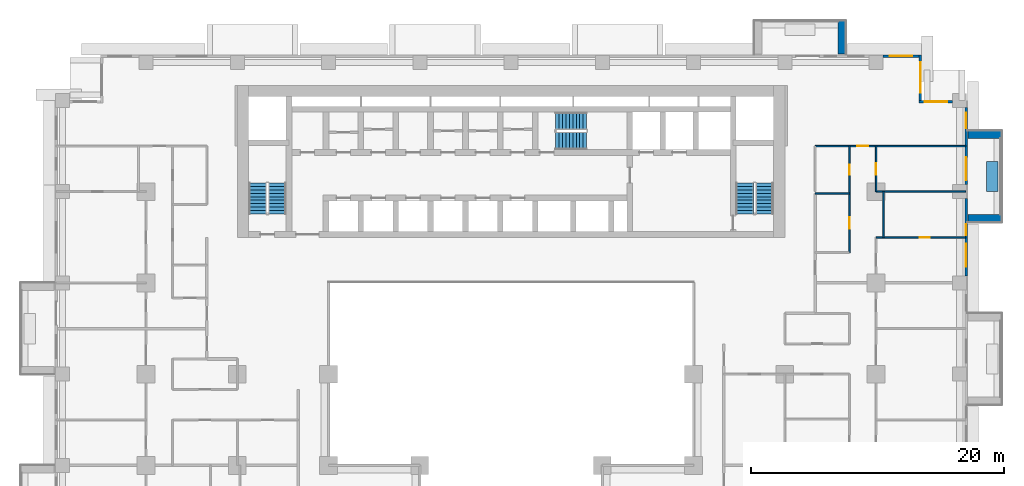
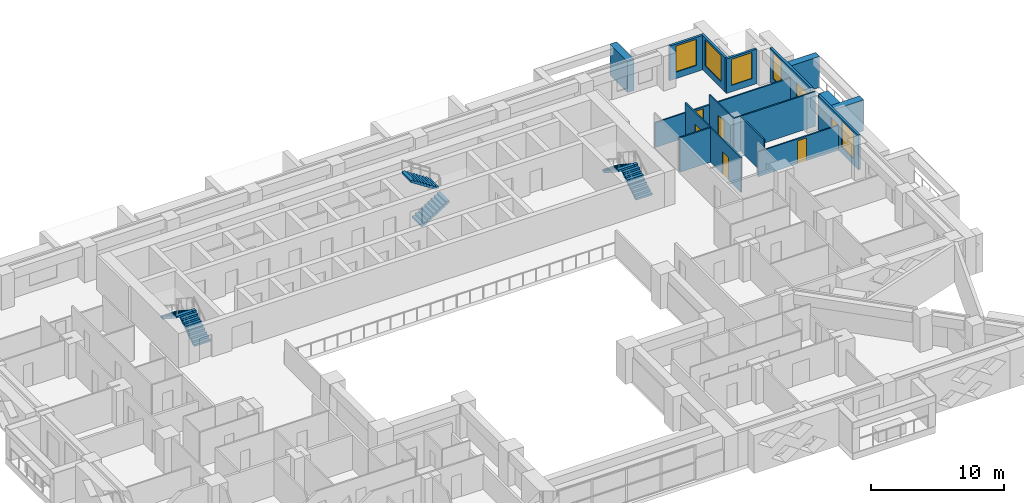
# One storey, part 12 of 16: 16 walls, 6 doors, 6 stair flights, 6 windows, 12 openings, 3 elements without a shape of their own.
"""IFC4 building model written with IfcOpenShell, lengths in metres."""

from ifc_helpers import new_model, si_unit, direction, frame, frame_2d, origin, place, context, subcontext, project, spatial, polyline, rectangle, outline, extrude, material, layer, layer_set, type_object, element, fill, aggregate, save


model = new_model("IFC4")

# Units and contexts
model_context = context("Model", 3, precision=1e-05, world=origin(), true_north=direction((0.0, 1.0)))
body_context = subcontext(model_context, "Body", "Model", "MODEL_VIEW")
ifc_project = project(units=[si_unit("LENGTHUNIT", "METRE"), si_unit("AREAUNIT", "SQUARE_METRE"), si_unit("VOLUMEUNIT", "CUBIC_METRE"), si_unit("PLANEANGLEUNIT", "RADIAN"), si_unit("MASSUNIT", "GRAM", prefix="KILO")], contexts=[model_context])

# Site, building, storey
site_placement = place(None, origin())
site = spatial("IfcSite", under=ifc_project, at=site_placement, CompositionType="ELEMENT")
building_placement = place(site_placement, origin())
building = spatial("IfcBuilding", under=site, at=building_placement, Name="Saffron Iwan Residences", CompositionType="ELEMENT")
storey_placement = place(building_placement, frame((0.0, 0.0, 48.0)))
storey = spatial("IfcBuildingStorey", under=building, at=storey_placement, Name="L11", CompositionType="ELEMENT", Elevation=48.0)

# Walls
ifc_material_1 = material(Name="Concrete C50/60 white painted", Category="concrete")
ifc_layer_1 = layer(ifc_material_1, 0.60009765625)
ifc_layer_set_1 = layer_set([ifc_layer_1], Name="Concrete C50/60 white painted")
wall_type_1 = type_object("IfcWallType", Name="BALCONY FIN 600", PredefinedType="SOLIDWALL", material=ifc_layer_set_1)
for number, where, z_axis, x_axis, name in (
    (1, (86.449951171875, 67.5, 0.0), (0.0, 0.0, 1.0), (1.0, 0.0, 0.0), "Balcony fin L11 F2-1a"),
    (2, (86.449951171875, 74.10009765625, 0.0), (0.0, 0.0, 1.0), (1.0, 0.0, 0.0), "Balcony fin L11 F2-1b"),
    (3, (76.5, 80.449951171875, 0.0), (0.0, 0.0, 1.0), (0.0, 1.0, 0.0), "Balcony fin L11 F5-0a"),
):
    element("IfcWall", number, at=place(storey_placement, frame(where, z_axis=z_axis, x_axis=x_axis)), inside=storey, type_object=wall_type_1, Name=name, PredefinedType="SOLIDWALL", context=body_context, shape_type="SweptSolid", body=[
        extrude(rectangle(XDim=2.650146484375, YDim=0.60009765625, at=frame_2d((1.3251953125, 0.0))), origin(), (0.0, 0.0, 1.0), 2.85009765625),
    ])
ifc_material_2 = material(Name="Concrete C35/45 white painted", Category="concrete")
ifc_layer_2 = layer(ifc_material_2, 0.14990234375)
ifc_layer_set_2 = layer_set([ifc_layer_2], Name="Concrete C35/45 white painted")
wall_type_2 = type_object("IfcWallType", Name="BALCONY PLANTER", PredefinedType="SOLIDWALL", material=ifc_layer_set_2)
wall_1_placement = place(storey_placement, frame((88.375, 69.60009765625, 0.0), z_axis=(0.0, 0.0, 1.0), x_axis=(0.0, 1.0, 0.0)))
element("IfcWall", 4, at=wall_1_placement, inside=storey, type_object=wall_type_2, Name="PLANTER L11 F2-1", PredefinedType="SOLIDWALL", context=body_context, shape_type="SweptSolid", body=[
    extrude(rectangle(XDim=2.39990234375, YDim=0.89990234375, at=frame_2d((1.199951171875, 0.0))), origin(), (0.0, 0.0, 1.0), 0.89990234375),
])

# Wall, openings, windows
ifc_material_3 = material(Name="Concrete C40/50", Category="concrete")
ifc_layer_3 = layer(ifc_material_3, 0.199951171875)
ifc_layer_set_3 = layer_set([ifc_layer_3], Name="Concrete C40/50")
wall_type_3 = type_object("IfcWallType", Name="EXTERNAL WALL 200", PredefinedType="SOLIDWALL", material=ifc_layer_set_3)
wall_2_placement = place(storey_placement, frame((86.300048828125, 62.949951171875, 0.0), z_axis=(0.0, 0.0, 1.0), x_axis=(0.0, 1.0, 0.0)))
wall_2 = element("IfcWall", 5, at=wall_2_placement, inside=storey, type_object=wall_type_3, Name="External wall L11 F2.2", PredefinedType="SOLIDWALL", context=body_context, shape_type="SweptSolid", body=[
    extrude(rectangle(XDim=6.10009765625, YDim=0.199951171875, at=frame_2d((3.050048828125, 0.0))), origin(), (0.0, 0.0, 1.0), 3.179931640625),
])
opening_1_placement = place(wall_2_placement, frame((0.72509765625, 0.0, 0.60009765625)))
opening_1 = element("IfcOpeningElement", 6, at=opening_1_placement, cuts=wall_2, Name="Opening W8", PredefinedType="OPENING", context=body_context, shape_type="SweptSolid", body=[
    extrude(rectangle(XDim=1.800048828125, YDim=2.39990234375, at=frame_2d((0.89990234375, 1.199951171875))), frame((0.0, 0.10986328125, 0.0), z_axis=(0.0, -1.0, 0.0), x_axis=(1.0, 0.0, 0.0)), (0.0, 0.0, 1.0), 0.219970703125),
])
opening_2_placement = place(wall_2_placement, frame((3.199951171875, 0.0, 1.5)))
opening_2 = element("IfcOpeningElement", 7, at=opening_2_placement, cuts=wall_2, Name="Opening W6", PredefinedType="OPENING", context=body_context, shape_type="SweptSolid", body=[
    extrude(rectangle(XDim=0.89990234375, YDim=0.89990234375, at=frame_2d((0.449951171875, 0.449951171875))), frame((0.0, 0.10986328125, 0.0), z_axis=(0.0, -1.0, 0.0), x_axis=(1.0, 0.0, 0.0)), (0.0, 0.0, 1.0), 0.219970703125),
])
ifc_material_4 = material(Name="Clear glass, laminated double glazed", Category="glass")
window_type_1 = type_object("IfcWindowType", Name="WINDOW 1800 x 2400", PartitioningType="DOUBLE_PANEL_VERTICAL", PredefinedType="WINDOW", material=ifc_material_4)
window_1_placement = place(opening_1_placement, origin())
window_1 = element("IfcWindow", 8, at=window_1_placement, inside=storey, type_object=window_type_1, Name="Window L11 F2.0", OverallHeight=2.39990234375, OverallWidth=1.800048828125, PartitioningType="DOUBLE_PANEL_VERTICAL", PredefinedType="WINDOW", context=body_context, shape_type="SweptSolid", body=[
    extrude(rectangle(XDim=1.800048828125, YDim=2.39990234375, at=frame_2d((0.89990234375, 1.199951171875))), frame((0.0, 0.030029296875, 0.0), z_axis=(0.0, -1.0, 0.0), x_axis=(1.0, 0.0, 0.0)), (0.0, 0.0, 1.0), 0.06005859375),
])
fill(opening_1, window_1)
window_type_2 = type_object("IfcWindowType", Name="WINDOW 900 x 900 BATH", PartitioningType="SINGLE_PANEL", PredefinedType="WINDOW", material=ifc_material_4)
window_2_placement = place(opening_2_placement, origin())
window_2 = element("IfcWindow", 9, at=window_2_placement, inside=storey, type_object=window_type_2, Name="Window L11 F2.1", OverallHeight=0.89990234375, OverallWidth=0.89990234375, PartitioningType="SINGLE_PANEL", PredefinedType="WINDOW", context=body_context, shape_type="SweptSolid", body=[
    extrude(rectangle(XDim=0.89990234375, YDim=0.89990234375, at=frame_2d((0.449951171875, 0.449951171875))), frame((0.0, 0.030029296875, 0.0), z_axis=(0.0, -1.0, 0.0), x_axis=(1.0, 0.0, 0.0)), (0.0, 0.0, 1.0), 0.06005859375),
])
fill(opening_2, window_2)

# Wall, openings, door, window
wall_3_placement = place(storey_placement, frame((86.300048828125, 70.14990234375, 0.0), z_axis=(0.0, 0.0, 1.0), x_axis=(0.0, 1.0, 0.0)))
wall_3 = element("IfcWall", 10, at=wall_3_placement, inside=storey, type_object=wall_type_3, Name="External wall L11 F2.3", PredefinedType="SOLIDWALL", context=body_context, shape_type="SweptSolid", body=[
    extrude(rectangle(XDim=6.10009765625, YDim=0.199951171875, at=frame_2d((3.050048828125, 0.0))), origin(), (0.0, 0.0, 1.0), 3.179931640625),
])
opening_3_placement = place(wall_3_placement, frame((0.35009765625, 0.0, 0.0)))
opening_3 = element("IfcOpeningElement", 11, at=opening_3_placement, cuts=wall_3, Name="Opening BD1", PredefinedType="OPENING", context=body_context, shape_type="SweptSolid", body=[
    extrude(rectangle(XDim=1.800048828125, YDim=2.39990234375, at=frame_2d((0.89990234375, 1.199951171875))), frame((0.0, 0.10986328125, 0.0), z_axis=(0.0, -1.0, 0.0), x_axis=(1.0, 0.0, 0.0)), (0.0, 0.0, 1.0), 0.219970703125),
])
opening_4_placement = place(wall_3_placement, frame((4.47509765625, 0.0, 0.60009765625)))
opening_4 = element("IfcOpeningElement", 12, at=opening_4_placement, cuts=wall_3, Name="Opening W3", PredefinedType="OPENING", context=body_context, shape_type="SweptSolid", body=[
    extrude(rectangle(XDim=1.199951171875, YDim=2.39990234375, at=frame_2d((0.60009765625, 1.199951171875))), frame((0.0, 0.10986328125, 0.0), z_axis=(0.0, -1.0, 0.0), x_axis=(1.0, 0.0, 0.0)), (0.0, 0.0, 1.0), 0.219970703125),
])
door_type_1 = type_object("IfcDoorType", Name="BALCONY DOOR 1800 x 2400", OperationType="DOUBLE_DOOR_SLIDING", PredefinedType="DOOR", material=ifc_material_4)
door_1_placement = place(opening_3_placement, origin())
door_1 = element("IfcDoor", 13, at=door_1_placement, inside=storey, type_object=door_type_1, Name="Balcony door L11 F2.0", OperationType="DOUBLE_DOOR_SLIDING", OverallHeight=2.39990234375, OverallWidth=1.800048828125, PredefinedType="DOOR", context=body_context, shape_type="SweptSolid", body=[
    extrude(rectangle(XDim=1.800048828125, YDim=2.39990234375, at=frame_2d((0.89990234375, 1.199951171875))), frame((0.0, 0.02490234375, 0.0), z_axis=(0.0, -1.0, 0.0), x_axis=(1.0, 0.0, 0.0)), (0.0, 0.0, 1.0), 0.050048828125),
])
fill(opening_3, door_1)
window_type_3 = type_object("IfcWindowType", Name="WINDOW 1200 x 2400", PartitioningType="SINGLE_PANEL", PredefinedType="WINDOW", material=ifc_material_4)
window_3_placement = place(opening_4_placement, origin())
window_3 = element("IfcWindow", 14, at=window_3_placement, inside=storey, type_object=window_type_3, Name="Window L11 F2.1", OverallHeight=2.39990234375, OverallWidth=1.199951171875, PartitioningType="SINGLE_PANEL", PredefinedType="WINDOW", context=body_context, shape_type="SweptSolid", body=[
    extrude(rectangle(XDim=1.199951171875, YDim=2.39990234375, at=frame_2d((0.60009765625, 1.199951171875))), frame((0.0, 0.030029296875, 0.0), z_axis=(0.0, -1.0, 0.0), x_axis=(1.0, 0.0, 0.0)), (0.0, 0.0, 1.0), 0.06005859375),
])
fill(opening_4, window_3)

# Wall, opening, window
wall_4_placement = place(storey_placement, frame((85.25, 76.699951171875, 0.0), z_axis=(0.0, 0.0, 1.0), x_axis=(-1.0, 0.0, 0.0)))
wall_4 = element("IfcWall", 15, at=wall_4_placement, inside=storey, type_object=wall_type_3, Name="External wall L11 F3.0", PredefinedType="SOLIDWALL", context=body_context, shape_type="SweptSolid", body=[
    extrude(rectangle(XDim=2.64990234375, YDim=0.199951171875, at=frame_2d((1.324951171875, 0.0))), origin(), (0.0, 0.0, 1.0), 3.179931640625),
])
opening_5_placement = place(wall_4_placement, frame((0.425048828125, 0.0, 0.60009765625)))
opening_5 = element("IfcOpeningElement", 16, at=opening_5_placement, cuts=wall_4, Name="Opening W8", PredefinedType="OPENING", context=body_context, shape_type="SweptSolid", body=[
    extrude(rectangle(XDim=1.800048828125, YDim=2.39990234375, at=frame_2d((0.89990234375, 1.199951171875))), frame((0.0, 0.10986328125, 0.0), z_axis=(0.0, -1.0, 0.0), x_axis=(1.0, 0.0, 0.0)), (0.0, 0.0, 1.0), 0.219970703125),
])
window_4_placement = place(opening_5_placement, origin())
window_4 = element("IfcWindow", 17, at=window_4_placement, inside=storey, type_object=window_type_1, Name="Window L11 F3.0", OverallHeight=2.39990234375, OverallWidth=1.800048828125, PartitioningType="DOUBLE_PANEL_VERTICAL", PredefinedType="WINDOW", context=body_context, shape_type="SweptSolid", body=[
    extrude(rectangle(XDim=1.800048828125, YDim=2.39990234375, at=frame_2d((0.89990234375, 1.199951171875))), frame((0.0, 0.030029296875, 0.0), z_axis=(0.0, -1.0, 0.0), x_axis=(1.0, 0.0, 0.0)), (0.0, 0.0, 1.0), 0.06005859375),
])
fill(opening_5, window_4)

wall_5_placement = place(storey_placement, frame((82.699951171875, 76.800048828125, 0.0), z_axis=(0.0, 0.0, 1.0), x_axis=(0.0, 1.0, 0.0)))
wall_5 = element("IfcWall", 18, at=wall_5_placement, inside=storey, type_object=wall_type_3, Name="External wall L11 F4.0", PredefinedType="SOLIDWALL", context=body_context, shape_type="SweptSolid", body=[
    extrude(rectangle(XDim=3.599853515625, YDim=0.199951171875, at=frame_2d((1.7998046875, 0.0))), origin(), (0.0, 0.0, 1.0), 3.179931640625),
])
opening_6_placement = place(wall_5_placement, frame((0.60009765625, 0.0, 0.60009765625)))
opening_6 = element("IfcOpeningElement", 19, at=opening_6_placement, cuts=wall_5, Name="Opening W1", PredefinedType="OPENING", context=body_context, shape_type="SweptSolid", body=[
    extrude(rectangle(XDim=2.39990234375, YDim=2.39990234375, at=frame_2d((1.199951171875, 1.199951171875))), frame((0.0, 0.10986328125, 0.0), z_axis=(0.0, -1.0, 0.0), x_axis=(1.0, 0.0, 0.0)), (0.0, 0.0, 1.0), 0.219970703125),
])
window_type_4 = type_object("IfcWindowType", Name="WINDOW 2400 x 2400", PartitioningType="DOUBLE_PANEL_VERTICAL", PredefinedType="WINDOW", material=ifc_material_4)
window_5_placement = place(opening_6_placement, origin())
window_5 = element("IfcWindow", 20, at=window_5_placement, inside=storey, type_object=window_type_4, Name="Window L11 F4.0", OverallHeight=2.39990234375, OverallWidth=2.39990234375, PartitioningType="DOUBLE_PANEL_VERTICAL", PredefinedType="WINDOW", context=body_context, shape_type="SweptSolid", body=[
    extrude(rectangle(XDim=2.39990234375, YDim=2.39990234375, at=frame_2d((1.199951171875, 1.199951171875))), frame((0.0, 0.030029296875, 0.0), z_axis=(0.0, -1.0, 0.0), x_axis=(1.0, 0.0, 0.0)), (0.0, 0.0, 1.0), 0.06005859375),
])
fill(opening_6, window_5)

wall_6_placement = place(storey_placement, frame((82.60009765625, 80.300048828125, 0.0), z_axis=(0.0, 0.0, 1.0), x_axis=(-1.0, 0.0, 0.0)))
wall_6 = element("IfcWall", 21, at=wall_6_placement, inside=storey, type_object=wall_type_3, Name="External wall L11 F5.0", PredefinedType="SOLIDWALL", context=body_context, shape_type="SweptSolid", body=[
    extrude(rectangle(XDim=2.85009765625, YDim=0.199951171875, at=frame_2d((1.425048828125, 0.0))), origin(), (0.0, 0.0, 1.0), 3.179931640625),
])
opening_7_placement = place(wall_6_placement, frame((0.52490234375, 0.0, 0.60009765625)))
opening_7 = element("IfcOpeningElement", 22, at=opening_7_placement, cuts=wall_6, Name="Opening W8", PredefinedType="OPENING", context=body_context, shape_type="SweptSolid", body=[
    extrude(rectangle(XDim=1.800048828125, YDim=2.39990234375, at=frame_2d((0.89990234375, 1.199951171875))), frame((0.0, 0.10986328125, 0.0), z_axis=(0.0, -1.0, 0.0), x_axis=(1.0, 0.0, 0.0)), (0.0, 0.0, 1.0), 0.219970703125),
])
window_6_placement = place(opening_7_placement, origin())
window_6 = element("IfcWindow", 23, at=window_6_placement, inside=storey, type_object=window_type_1, Name="Window L11 F5.0", OverallHeight=2.39990234375, OverallWidth=1.800048828125, PartitioningType="DOUBLE_PANEL_VERTICAL", PredefinedType="WINDOW", context=body_context, shape_type="SweptSolid", body=[
    extrude(rectangle(XDim=1.800048828125, YDim=2.39990234375, at=frame_2d((0.89990234375, 1.199951171875))), frame((0.0, 0.030029296875, 0.0), z_axis=(0.0, -1.0, 0.0), x_axis=(1.0, 0.0, 0.0)), (0.0, 0.0, 1.0), 0.06005859375),
])
fill(opening_7, window_6)

# Wall, opening, door
ifc_material_5 = material(Name="Gypsum board partition")
ifc_layer_4 = layer(ifc_material_5, 0.1201171875)
ifc_layer_set_4 = layer_set([ifc_layer_4], Name="Gypsum board partition")
wall_type_4 = type_object("IfcWallType", Name="Flat partition 120", PredefinedType="PARTITIONING", material=ifc_layer_set_4)
wall_7_placement = place(storey_placement, frame((79.199951171875, 66.0, 0.0), z_axis=(0.0, 0.0, 1.0), x_axis=(1.0, 0.0, 0.0)))
wall_7 = element("IfcWall", 24, at=wall_7_placement, inside=storey, type_object=wall_type_4, Name="W-L11-PART-h66-79.2", PredefinedType="PARTITIONING", context=body_context, shape_type="SweptSolid", body=[
    extrude(rectangle(XDim=7.074951171875, YDim=0.1201171875, at=frame_2d((3.53759765625, 0.0))), origin(), (0.0, 0.0, 1.0), 2.280029296875),
])
opening_8_placement = place(wall_7_placement, frame((3.4375, 0.0, 0.0)))
opening_8 = element("IfcOpeningElement", 25, at=opening_8_placement, cuts=wall_7, Name="Opening FD3", PredefinedType="OPENING", context=body_context, shape_type="SweptSolid", body=[
    extrude(rectangle(XDim=0.800048828125, YDim=2.10009765625, at=frame_2d((0.39990234375, 1.050048828125))), frame((0.0, 0.070068359375, 0.0), z_axis=(0.0, -1.0, 0.0), x_axis=(1.0, 0.0, 0.0)), (0.0, 0.0, 1.0), 0.14013671875),
])
ifc_material_6 = material(Name="Timber door", Category="wood")
door_type_2 = type_object("IfcDoorType", Name="Bathroom door 800", OperationType="NOTDEFINED", PredefinedType="DOOR", material=ifc_material_6)
door_2_placement = place(opening_8_placement, origin())
door_2 = element("IfcDoor", 26, at=door_2_placement, inside=storey, type_object=door_type_2, Name="Door L11-037", OperationType="SINGLE_SWING_LEFT", OverallHeight=2.10009765625, OverallWidth=0.800048828125, PredefinedType="DOOR", context=body_context, shape_type="SweptSolid", body=[
    extrude(rectangle(XDim=0.800048828125, YDim=2.10009765625, at=frame_2d((0.39990234375, 1.050048828125))), frame((0.0, 0.02490234375, 0.0), z_axis=(0.0, -1.0, 0.0), x_axis=(1.0, 0.0, 0.0)), (0.0, 0.0, 1.0), 0.050048828125),
])
fill(opening_8, door_2)

# Walls
wall_8_placement = place(storey_placement, frame((74.39990234375, 69.449951171875, 0.0), z_axis=(0.0, 0.0, 1.0), x_axis=(1.0, 0.0, 0.0)))
element("IfcWall", 27, at=wall_8_placement, inside=storey, type_object=wall_type_4, Name="W-L11-PART-h69.45-74.4", PredefinedType="PARTITIONING", context=body_context, shape_type="SweptSolid", body=[
    extrude(rectangle(XDim=2.7001953125, YDim=0.1201171875, at=frame_2d((1.35009765625, 0.0))), origin(), (0.0, 0.0, 1.0), 3.179931640625),
])
wall_9_placement = place(storey_placement, frame((79.199951171875, 69.60009765625, 0.0), z_axis=(0.0, 0.0, 1.0), x_axis=(1.0, 0.0, 0.0)))
element("IfcWall", 28, at=wall_9_placement, inside=storey, type_object=wall_type_4, Name="W-L11-PART-h69.6-79.2", PredefinedType="PARTITIONING", context=body_context, shape_type="SweptSolid", body=[
    extrude(rectangle(XDim=7.074951171875, YDim=0.1201171875, at=frame_2d((3.53759765625, 0.0))), origin(), (0.0, 0.0, 1.0), 3.179931640625),
])

# Wall, opening, door
wall_10_placement = place(storey_placement, frame((74.39990234375, 73.199951171875, 0.0), z_axis=(0.0, 0.0, 1.0), x_axis=(1.0, 0.0, 0.0)))
wall_10 = element("IfcWall", 29, at=wall_10_placement, inside=storey, type_object=wall_type_4, Name="W-L11-PART-h73.2-74.4", PredefinedType="PARTITIONING", context=body_context, shape_type="SweptSolid", body=[
    extrude(rectangle(XDim=11.875, YDim=0.1201171875, at=frame_2d((5.9375, 0.0))), origin(), (0.0, 0.0, 1.0), 2.280029296875),
])
opening_9_placement = place(wall_10_placement, frame((3.300048828125, 0.0, 0.0)))
opening_9 = element("IfcOpeningElement", 30, at=opening_9_placement, cuts=wall_10, Name="Opening FD2", PredefinedType="OPENING", context=body_context, shape_type="SweptSolid", body=[
    extrude(rectangle(XDim=0.89990234375, YDim=2.10009765625, at=frame_2d((0.449951171875, 1.050048828125))), frame((0.0, 0.070068359375, 0.0), z_axis=(0.0, -1.0, 0.0), x_axis=(1.0, 0.0, 0.0)), (0.0, 0.0, 1.0), 0.14013671875),
])
door_type_3 = type_object("IfcDoorType", Name="Flat door 900", OperationType="NOTDEFINED", PredefinedType="DOOR", material=ifc_material_6)
door_3_placement = place(opening_9_placement, origin())
door_3 = element("IfcDoor", 31, at=door_3_placement, inside=storey, type_object=door_type_3, Name="Door L11-039", OperationType="SINGLE_SWING_LEFT", OverallHeight=2.10009765625, OverallWidth=0.89990234375, PredefinedType="DOOR", context=body_context, shape_type="SweptSolid", body=[
    extrude(rectangle(XDim=0.89990234375, YDim=2.10009765625, at=frame_2d((0.449951171875, 1.050048828125))), frame((0.0, 0.02490234375, 0.0), z_axis=(0.0, -1.0, 0.0), x_axis=(1.0, 0.0, 0.0)), (0.0, 0.0, 1.0), 0.050048828125),
])
fill(opening_9, door_3)

# Wall, openings, doors
wall_11_placement = place(storey_placement, frame((77.10009765625, 64.800048828125, 0.0), z_axis=(0.0, 0.0, 1.0), x_axis=(0.0, 1.0, 0.0)))
wall_11 = element("IfcWall", 32, at=wall_11_placement, inside=storey, type_object=wall_type_4, Name="W-L11-PART-v77.1-64.8", PredefinedType="PARTITIONING", context=body_context, shape_type="SweptSolid", body=[
    extrude(rectangle(XDim=8.39990234375, YDim=0.1201171875, at=frame_2d((4.199951171875, 0.0))), origin(), (0.0, 0.0, 1.0), 3.179931640625),
])
opening_10_placement = place(wall_11_placement, frame((1.875, 0.0, 0.0)))
opening_10 = element("IfcOpeningElement", 33, at=opening_10_placement, cuts=wall_11, Name="Opening FD2", PredefinedType="OPENING", context=body_context, shape_type="SweptSolid", body=[
    extrude(rectangle(XDim=0.89990234375, YDim=2.10009765625, at=frame_2d((0.449951171875, 1.050048828125))), frame((0.0, 0.070068359375, 0.0), z_axis=(0.0, -1.0, 0.0), x_axis=(1.0, 0.0, 0.0)), (0.0, 0.0, 1.0), 0.14013671875),
])
opening_11_placement = place(wall_11_placement, frame((6.125, 0.0, 0.0)))
opening_11 = element("IfcOpeningElement", 34, at=opening_11_placement, cuts=wall_11, Name="Opening FD3", PredefinedType="OPENING", context=body_context, shape_type="SweptSolid", body=[
    extrude(rectangle(XDim=0.800048828125, YDim=2.10009765625, at=frame_2d((0.39990234375, 1.050048828125))), frame((0.0, 0.070068359375, 0.0), z_axis=(0.0, -1.0, 0.0), x_axis=(1.0, 0.0, 0.0)), (0.0, 0.0, 1.0), 0.14013671875),
])
door_4_placement = place(opening_11_placement, origin())
door_4 = element("IfcDoor", 35, at=door_4_placement, inside=storey, type_object=door_type_2, Name="Door L11-041", OperationType="SINGLE_SWING_RIGHT", OverallHeight=2.10009765625, OverallWidth=0.800048828125, PredefinedType="DOOR", context=body_context, shape_type="SweptSolid", body=[
    extrude(rectangle(XDim=0.800048828125, YDim=2.10009765625, at=frame_2d((0.39990234375, 1.050048828125))), frame((0.0, 0.02490234375, 0.0), z_axis=(0.0, -1.0, 0.0), x_axis=(1.0, 0.0, 0.0)), (0.0, 0.0, 1.0), 0.050048828125),
])
fill(opening_11, door_4)
door_5_placement = place(opening_10_placement, origin())
door_5 = element("IfcDoor", 36, at=door_5_placement, inside=storey, type_object=door_type_3, Name="Door L11-040", OperationType="SINGLE_SWING_LEFT", OverallHeight=2.10009765625, OverallWidth=0.89990234375, PredefinedType="DOOR", context=body_context, shape_type="SweptSolid", body=[
    extrude(rectangle(XDim=0.89990234375, YDim=2.10009765625, at=frame_2d((0.449951171875, 1.050048828125))), frame((0.0, 0.02490234375, 0.0), z_axis=(0.0, -1.0, 0.0), x_axis=(1.0, 0.0, 0.0)), (0.0, 0.0, 1.0), 0.050048828125),
])
fill(opening_10, door_5)

# Wall, opening, door
wall_12_placement = place(storey_placement, frame((79.199951171875, 69.60009765625, 0.0), z_axis=(0.0, 0.0, 1.0), x_axis=(0.0, 1.0, 0.0)))
wall_12 = element("IfcWall", 37, at=wall_12_placement, inside=storey, type_object=wall_type_4, Name="W-L11-PART-v79.2-69.6", PredefinedType="PARTITIONING", context=body_context, shape_type="SweptSolid", body=[
    extrude(rectangle(XDim=3.599853515625, YDim=0.1201171875, at=frame_2d((1.7998046875, 0.0))), origin(), (0.0, 0.0, 1.0), 3.179931640625),
])
opening_12_placement = place(wall_12_placement, frame((1.35009765625, 0.0, 0.0)))
opening_12 = element("IfcOpeningElement", 38, at=opening_12_placement, cuts=wall_12, Name="Opening FD2", PredefinedType="OPENING", context=body_context, shape_type="SweptSolid", body=[
    extrude(rectangle(XDim=0.89990234375, YDim=2.10009765625, at=frame_2d((0.449951171875, 1.050048828125))), frame((0.0, 0.070068359375, 0.0), z_axis=(0.0, -1.0, 0.0), x_axis=(1.0, 0.0, 0.0)), (0.0, 0.0, 1.0), 0.14013671875),
])
door_6_placement = place(opening_12_placement, origin())
door_6 = element("IfcDoor", 39, at=door_6_placement, inside=storey, type_object=door_type_3, Name="Door L11-038", OperationType="SINGLE_SWING_RIGHT", OverallHeight=2.10009765625, OverallWidth=0.89990234375, PredefinedType="DOOR", context=body_context, shape_type="SweptSolid", body=[
    extrude(rectangle(XDim=0.89990234375, YDim=2.10009765625, at=frame_2d((0.449951171875, 1.050048828125))), frame((0.0, 0.02490234375, 0.0), z_axis=(0.0, -1.0, 0.0), x_axis=(1.0, 0.0, 0.0)), (0.0, 0.0, 1.0), 0.050048828125),
])
fill(opening_12, door_6)

# Wall
wall_13_placement = place(storey_placement, frame((79.800048828125, 66.0, 0.0), z_axis=(0.0, 0.0, 1.0), x_axis=(0.0, 1.0, 0.0)))
element("IfcWall", 40, at=wall_13_placement, inside=storey, type_object=wall_type_4, Name="W-L11-PART-v79.8-66", PredefinedType="PARTITIONING", context=body_context, shape_type="SweptSolid", body=[
    extrude(rectangle(XDim=3.60009765625, YDim=0.1201171875, at=frame_2d((1.800048828125, 0.0))), origin(), (0.0, 0.0, 1.0), 3.179931640625),
])

# Stair, stair flights
ifc_material_7 = material(Name="Concrete C50/60", Category="concrete")
stair_type = type_object("IfcStairType", Name="Stair ST-CORE", PredefinedType="HALF_TURN_STAIR", material=ifc_material_7)
stair_1_placement = place(storey_placement, origin())
stair_1 = element("IfcStair", 41, at=stair_1_placement, inside=storey, type_object=stair_type, Name="L11 Exit Stair ST-W", PredefinedType="HALF_TURN_STAIR")
ifc_layer_5 = layer(ifc_material_7, 0.14990234375)
ifc_layer_set_5 = layer_set([ifc_layer_5], Name="Concrete C50/60")
stair_flight_type = type_object("IfcStairFlightType", Name="Stair flight SFL-RC", PredefinedType="STRAIGHT", material=ifc_layer_set_5)
stair_flight_1_placement = place(storey_placement, frame((31.949951171875, 67.85009765625, 0.0), z_axis=(0.0, 0.0, 1.0), x_axis=(0.0, 1.0, 0.0)))
stair_flight_1 = element("IfcStairFlight", 42, at=stair_flight_1_placement, type_object=stair_flight_type, Name="ST-W flight 1", NumberOfRisers=10, NumberOfTreads=9, PredefinedType="STRAIGHT", RiserHeight=0.175, TreadLength=0.27, context=body_context, shape_type="SweptSolid", body=[
    extrude(outline(polyline([(0.0, 0.0), (0.0, 0.175048828125), (0.27001953125, 0.175048828125), (0.27001953125, 0.35009765625), (0.5400390625, 0.35009765625), (0.5400390625, 0.52490234375), (0.81005859375, 0.52490234375), (0.81005859375, 0.699951171875), (1.080078125, 0.699951171875), (1.080078125, 0.875), (1.35009765625, 0.875), (1.35009765625, 1.050048828125), (1.6201171875, 1.050048828125), (1.6201171875, 1.22509765625), (1.889892578125, 1.22509765625), (1.889892578125, 1.39990234375), (2.159912109375, 1.39990234375), (2.159912109375, 1.574951171875), (2.429931640625, 1.574951171875), (2.429931640625, 1.75), (2.429931640625, 1.396484375), (0.275634765625, 0.0), (0.0, 0.0)])), frame((0.0, 0.699951171875, 0.0), z_axis=(0.0, -1.0, 0.0), x_axis=(1.0, 0.0, 0.0)), (0.0, 0.0, 1.0), 1.39990234375),
])
stair_flight_2_placement = place(storey_placement, frame((30.39990234375, 70.280029296875, 1.75), z_axis=(0.0, 0.0, 1.0), x_axis=(0.0, -1.0, 0.0)))
stair_flight_2 = element("IfcStairFlight", 43, at=stair_flight_2_placement, type_object=stair_flight_type, Name="ST-W flight 2", NumberOfRisers=10, NumberOfTreads=9, PredefinedType="STRAIGHT", RiserHeight=0.175, TreadLength=0.27, context=body_context, shape_type="SweptSolid", body=[
    extrude(outline(polyline([(0.0, 0.0), (0.0, 0.175048828125), (0.27001953125, 0.175048828125), (0.27001953125, 0.35009765625), (0.5400390625, 0.35009765625), (0.5400390625, 0.52490234375), (0.81005859375, 0.52490234375), (0.81005859375, 0.699951171875), (1.080078125, 0.699951171875), (1.080078125, 0.875), (1.35009765625, 0.875), (1.35009765625, 1.050048828125), (1.6201171875, 1.050048828125), (1.6201171875, 1.22509765625), (1.889892578125, 1.22509765625), (1.889892578125, 1.39990234375), (2.159912109375, 1.39990234375), (2.159912109375, 1.574951171875), (2.429931640625, 1.574951171875), (2.429931640625, 1.75), (2.429931640625, 1.396484375), (0.275634765625, 0.0), (0.0, 0.0)])), frame((0.0, 0.699951171875, 0.0), z_axis=(0.0, -1.0, 0.0), x_axis=(1.0, 0.0, 0.0)), (0.0, 0.0, 1.0), 1.39990234375),
])
aggregate(stair_1, [stair_flight_1, stair_flight_2])

stair_2_placement = place(storey_placement, origin())
stair_2 = element("IfcStair", 44, at=stair_2_placement, inside=storey, type_object=stair_type, Name="L11 Exit Stair ST-C", PredefinedType="HALF_TURN_STAIR")
stair_flight_3_placement = place(storey_placement, frame((53.925048828125, 73.625, 0.0), z_axis=(0.0, 0.0, 1.0), x_axis=(1.0, 0.0, 0.0)))
stair_flight_3 = element("IfcStairFlight", 45, at=stair_flight_3_placement, type_object=stair_flight_type, Name="ST-C flight 1", NumberOfRisers=10, NumberOfTreads=9, PredefinedType="STRAIGHT", RiserHeight=0.175, TreadLength=0.27, context=body_context, shape_type="SweptSolid", body=[
    extrude(outline(polyline([(0.0, 0.0), (0.0, 0.175048828125), (0.27001953125, 0.175048828125), (0.27001953125, 0.35009765625), (0.5400390625, 0.35009765625), (0.5400390625, 0.52490234375), (0.81005859375, 0.52490234375), (0.81005859375, 0.699951171875), (1.080078125, 0.699951171875), (1.080078125, 0.875), (1.35009765625, 0.875), (1.35009765625, 1.050048828125), (1.6201171875, 1.050048828125), (1.6201171875, 1.22509765625), (1.889892578125, 1.22509765625), (1.889892578125, 1.39990234375), (2.159912109375, 1.39990234375), (2.159912109375, 1.574951171875), (2.429931640625, 1.574951171875), (2.429931640625, 1.75), (2.429931640625, 1.396484375), (0.275634765625, 0.0), (0.0, 0.0)])), frame((0.0, 0.699951171875, 0.0), z_axis=(0.0, -1.0, 0.0), x_axis=(1.0, 0.0, 0.0)), (0.0, 0.0, 1.0), 1.39990234375),
])
stair_flight_4_placement = place(storey_placement, frame((56.35498046875, 75.175048828125, 1.75), z_axis=(0.0, 0.0, 1.0), x_axis=(-1.0, 0.0, 0.0)))
stair_flight_4 = element("IfcStairFlight", 46, at=stair_flight_4_placement, type_object=stair_flight_type, Name="ST-C flight 2", NumberOfRisers=10, NumberOfTreads=9, PredefinedType="STRAIGHT", RiserHeight=0.175, TreadLength=0.27, context=body_context, shape_type="SweptSolid", body=[
    extrude(outline(polyline([(0.0, 0.0), (0.0, 0.175048828125), (0.27001953125, 0.175048828125), (0.27001953125, 0.35009765625), (0.5400390625, 0.35009765625), (0.5400390625, 0.52490234375), (0.81005859375, 0.52490234375), (0.81005859375, 0.699951171875), (1.080078125, 0.699951171875), (1.080078125, 0.875), (1.35009765625, 0.875), (1.35009765625, 1.050048828125), (1.6201171875, 1.050048828125), (1.6201171875, 1.22509765625), (1.889892578125, 1.22509765625), (1.889892578125, 1.39990234375), (2.159912109375, 1.39990234375), (2.159912109375, 1.574951171875), (2.429931640625, 1.574951171875), (2.429931640625, 1.75), (2.429931640625, 1.396484375), (0.275634765625, 0.0), (0.0, 0.0)])), frame((0.0, 0.699951171875, 0.0), z_axis=(0.0, -1.0, 0.0), x_axis=(1.0, 0.0, 0.0)), (0.0, 0.0, 1.0), 1.39990234375),
])
aggregate(stair_2, [stair_flight_3, stair_flight_4])

stair_3_placement = place(storey_placement, origin())
stair_3 = element("IfcStair", 47, at=stair_3_placement, inside=storey, type_object=stair_type, Name="L11 Exit Stair ST-E", PredefinedType="HALF_TURN_STAIR")
stair_flight_5_placement = place(storey_placement, frame((70.39990234375, 67.85009765625, 0.0), z_axis=(0.0, 0.0, 1.0), x_axis=(0.0, 1.0, 0.0)))
stair_flight_5 = element("IfcStairFlight", 48, at=stair_flight_5_placement, type_object=stair_flight_type, Name="ST-E flight 1", NumberOfRisers=10, NumberOfTreads=9, PredefinedType="STRAIGHT", RiserHeight=0.175, TreadLength=0.27, context=body_context, shape_type="SweptSolid", body=[
    extrude(outline(polyline([(0.0, 0.0), (0.0, 0.175048828125), (0.27001953125, 0.175048828125), (0.27001953125, 0.35009765625), (0.5400390625, 0.35009765625), (0.5400390625, 0.52490234375), (0.81005859375, 0.52490234375), (0.81005859375, 0.699951171875), (1.080078125, 0.699951171875), (1.080078125, 0.875), (1.35009765625, 0.875), (1.35009765625, 1.050048828125), (1.6201171875, 1.050048828125), (1.6201171875, 1.22509765625), (1.889892578125, 1.22509765625), (1.889892578125, 1.39990234375), (2.159912109375, 1.39990234375), (2.159912109375, 1.574951171875), (2.429931640625, 1.574951171875), (2.429931640625, 1.75), (2.429931640625, 1.396484375), (0.275634765625, 0.0), (0.0, 0.0)])), frame((0.0, 0.699951171875, 0.0), z_axis=(0.0, -1.0, 0.0), x_axis=(1.0, 0.0, 0.0)), (0.0, 0.0, 1.0), 1.39990234375),
])
stair_flight_6_placement = place(storey_placement, frame((68.85009765625, 70.280029296875, 1.75), z_axis=(0.0, 0.0, 1.0), x_axis=(0.0, -1.0, 0.0)))
stair_flight_6 = element("IfcStairFlight", 49, at=stair_flight_6_placement, type_object=stair_flight_type, Name="ST-E flight 2", NumberOfRisers=10, NumberOfTreads=9, PredefinedType="STRAIGHT", RiserHeight=0.175, TreadLength=0.27, context=body_context, shape_type="SweptSolid", body=[
    extrude(outline(polyline([(0.0, 0.0), (0.0, 0.175048828125), (0.27001953125, 0.175048828125), (0.27001953125, 0.35009765625), (0.5400390625, 0.35009765625), (0.5400390625, 0.52490234375), (0.81005859375, 0.52490234375), (0.81005859375, 0.699951171875), (1.080078125, 0.699951171875), (1.080078125, 0.875), (1.35009765625, 0.875), (1.35009765625, 1.050048828125), (1.6201171875, 1.050048828125), (1.6201171875, 1.22509765625), (1.889892578125, 1.22509765625), (1.889892578125, 1.39990234375), (2.159912109375, 1.39990234375), (2.159912109375, 1.574951171875), (2.429931640625, 1.574951171875), (2.429931640625, 1.75), (2.429931640625, 1.396484375), (0.275634765625, 0.0), (0.0, 0.0)])), frame((0.0, 0.699951171875, 0.0), z_axis=(0.0, -1.0, 0.0), x_axis=(1.0, 0.0, 0.0)), (0.0, 0.0, 1.0), 1.39990234375),
])
aggregate(stair_3, [stair_flight_5, stair_flight_6])

save(model, "model.ifc")
